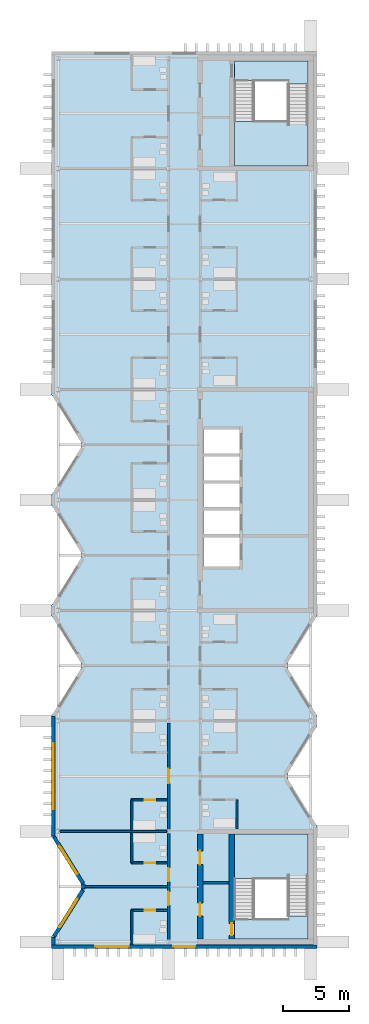
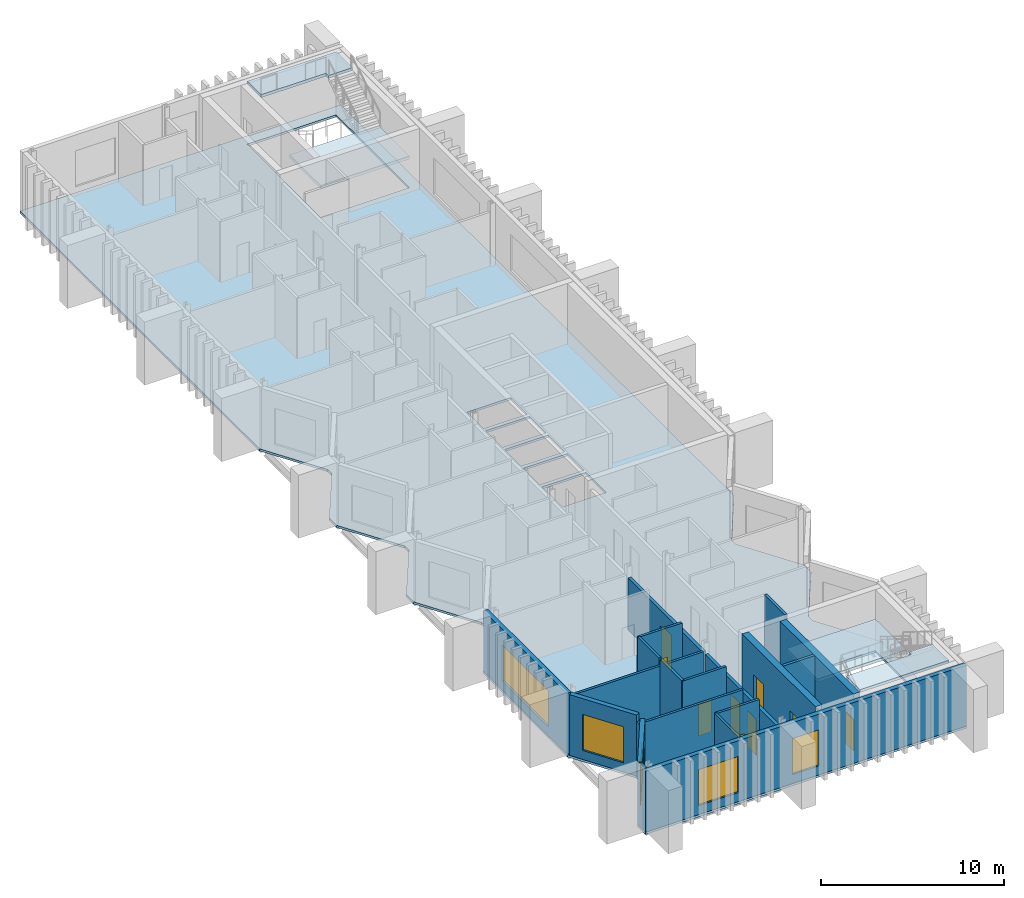
# One storey, part 4 of 10: 20 walls, 9 doors, 5 slabs, 5 windows, 14 openings, 2 elements without a shape of their own.
"""IFC4 building model written with IfcOpenShell, lengths in metres."""

from ifc_helpers import new_model, si_unit, direction, frame, frame_2d, origin, place, context, subcontext, project, spatial, polyline, rectangle, outline, extrude, material, layer, layer_set, type_object, element, fill, aggregate, save


model = new_model("IFC4")

# Units and contexts
model_context = context("Model", 3, precision=1e-05, world=origin(), true_north=direction((0.0, 1.0)))
body_context = subcontext(model_context, "Body", "Model", "MODEL_VIEW")
ifc_project = project(units=[si_unit("LENGTHUNIT", "METRE"), si_unit("AREAUNIT", "SQUARE_METRE"), si_unit("VOLUMEUNIT", "CUBIC_METRE"), si_unit("PLANEANGLEUNIT", "RADIAN"), si_unit("MASSUNIT", "GRAM", prefix="KILO")], contexts=[model_context])

# Site, building, storey
site_placement = place(None, origin())
site = spatial("IfcSite", under=ifc_project, at=site_placement, CompositionType="ELEMENT")
building_placement = place(site_placement, origin())
building = spatial("IfcBuilding", under=site, at=building_placement, Name="Cresset Court Congress Hotel", CompositionType="ELEMENT")
storey_placement = place(building_placement, frame((0.0, 0.0, 56.39990234375)))
storey = spatial("IfcBuildingStorey", under=building, at=storey_placement, Name="L13", CompositionType="ELEMENT", Elevation=56.39990234375)

# Slab
ifc_material_1 = material(Name="Concrete C35", Category="concrete")
ifc_layer_1 = layer(ifc_material_1, 0.14990234375)
ifc_layer_set_1 = layer_set([ifc_layer_1], Name="Composite floor slab 150")
slab_type_1 = type_object("IfcSlabType", Name="Composite floor slab 150", PredefinedType="FLOOR", material=ifc_layer_set_1)
slab_1_placement = place(storey_placement, frame((0.0, 0.0, -0.14990234375)))
element("IfcSlab", 1, at=slab_1_placement, inside=storey, type_object=slab_type_1, Name="A.slab.L13", PredefinedType="FLOOR", context=body_context, shape_type="SweptSolid", body=[
    extrude(outline(polyline([(156.699951171875, -0.5), (176.89990234375, -0.5), (176.89990234375, 8.7900390625), (174.665283203125, 12.375), (174.665283203125, 12.824951171875), (176.89990234375, 16.409912109375), (176.89990234375, 17.190185546875), (174.665283203125, 20.77490234375), (174.665283203125, 21.22509765625), (176.89990234375, 24.809814453125), (176.89990234375, 67.699951171875), (156.699951171875, 67.699951171875), (156.699951171875, 41.60986328125), (158.934814453125, 38.02490234375), (158.934814453125, 37.574951171875), (156.699951171875, 33.989990234375), (156.699951171875, 33.2099609375), (158.934814453125, 29.625), (158.934814453125, 29.175048828125), (156.699951171875, 25.590087890625), (156.699951171875, 24.809814453125), (158.934814453125, 21.22509765625), (158.934814453125, 20.77490234375), (156.699951171875, 17.190185546875), (156.699951171875, 8.010009765625), (158.934814453125, 4.425048828125), (158.934814453125, 3.97509765625), (156.699951171875, 0.39013671875), (156.699951171875, -0.5)]), holes=[polyline([(170.60009765625, 0.199951171875), (176.199951171875, 0.199951171875), (176.199951171875, 8.199951171875), (170.60009765625, 8.199951171875), (170.60009765625, 0.199951171875)]), polyline([(170.60009765625, 59.0), (176.199951171875, 59.0), (176.199951171875, 67.0), (170.60009765625, 67.0), (170.60009765625, 59.0)]), polyline([(168.25, 28.550048828125), (171.0, 28.550048828125), (171.0, 30.75), (168.25, 30.75), (168.25, 28.550048828125)]), polyline([(168.25, 31.0), (171.0, 31.0), (171.0, 32.800048828125), (168.25, 32.800048828125), (168.25, 31.0)]), polyline([(168.25, 33.050048828125), (171.0, 33.050048828125), (171.0, 34.85009765625), (168.25, 34.85009765625), (168.25, 33.050048828125)]), polyline([(168.25, 35.10009765625), (171.0, 35.10009765625), (171.0, 36.89990234375), (168.25, 36.89990234375), (168.25, 35.10009765625)]), polyline([(168.25, 37.14990234375), (171.0, 37.14990234375), (171.0, 38.949951171875), (168.25, 38.949951171875), (168.25, 37.14990234375)])]), origin(), (0.0, 0.0, 1.0), 0.14990234375),
])

# Stair, slabs
ifc_material_2 = material(Name="Concrete C40", Category="concrete")
stair_type = type_object("IfcStairType", Name="Concrete dog-leg stair 5600", PredefinedType="HALF_TURN_STAIR", material=ifc_material_2)
stair_1_placement = place(storey_placement, origin())
stair_1 = element("IfcStair", 2, at=stair_1_placement, inside=storey, type_object=stair_type, Name="Stair A1 L13", PredefinedType="HALF_TURN_STAIR")
ifc_material_3 = material(Name="Concrete C40", Category="concrete")
ifc_layer_2 = layer(ifc_material_3, 0.199951171875)
ifc_layer_set_2 = layer_set([ifc_layer_2], Name="Stair landing 200")
slab_type_2 = type_object("IfcSlabType", Name="Stair landing 200", PredefinedType="LANDING", material=ifc_layer_set_2)
slab_2_placement = place(storey_placement, frame((0.0, 0.0, 1.900146484375)))
slab_2 = element("IfcSlab", 3, at=slab_2_placement, type_object=slab_type_2, Name="A-ST1 landing 1", PredefinedType="LANDING", context=body_context, shape_type="SweptSolid", body=[
    extrude(outline(polyline([(170.60009765625, 4.819091796875), (176.199951171875, 4.819091796875), (176.199951171875, 8.199951171875), (170.60009765625, 8.199951171875), (170.60009765625, 4.819091796875)])), origin(), (0.0, 0.0, 1.0), 0.199951171875),
])
slab_3_placement = place(storey_placement, frame((0.0, 0.0, 4.0)))
slab_3 = element("IfcSlab", 4, at=slab_3_placement, type_object=slab_type_2, Name="A-ST1 landing 2", PredefinedType="LANDING", context=body_context, shape_type="SweptSolid", body=[
    extrude(outline(polyline([(170.60009765625, 0.199951171875), (176.199951171875, 0.199951171875), (176.199951171875, 1.960693359375), (174.699951171875, 1.960693359375), (174.699951171875, 1.70068359375), (170.60009765625, 1.70068359375), (170.60009765625, 0.199951171875)])), origin(), (0.0, 0.0, 1.0), 0.2001953125),
])
aggregate(stair_1, [slab_2, slab_3])

stair_2_placement = place(storey_placement, origin())
stair_2 = element("IfcStair", 5, at=stair_2_placement, inside=storey, type_object=stair_type, Name="Stair A2 L13", PredefinedType="HALF_TURN_STAIR")
slab_4_placement = place(storey_placement, frame((0.0, 0.0, 1.900146484375)))
slab_4 = element("IfcSlab", 6, at=slab_4_placement, type_object=slab_type_2, Name="A-ST1 landing 1", PredefinedType="LANDING", context=body_context, shape_type="SweptSolid", body=[
    extrude(outline(polyline([(170.60009765625, 62.380859375), (176.199951171875, 62.380859375), (176.199951171875, 59.0), (170.60009765625, 59.0), (170.60009765625, 62.380859375)])), origin(), (0.0, 0.0, 1.0), 0.199951171875),
])
slab_5_placement = place(storey_placement, frame((0.0, 0.0, 4.0)))
slab_5 = element("IfcSlab", 7, at=slab_5_placement, type_object=slab_type_2, Name="A-ST1 landing 2", PredefinedType="LANDING", context=body_context, shape_type="SweptSolid", body=[
    extrude(outline(polyline([(170.60009765625, 67.0), (176.199951171875, 67.0), (176.199951171875, 65.2392578125), (174.699951171875, 65.2392578125), (174.699951171875, 65.499267578125), (170.60009765625, 65.499267578125), (170.60009765625, 67.0)])), origin(), (0.0, 0.0, 1.0), 0.2001953125),
])
aggregate(stair_2, [slab_4, slab_5])

# Wall, openings, doors
ifc_material_4 = material(Name="Gypsum board partition")
ifc_layer_3 = layer(ifc_material_4, 0.199951171875)
ifc_layer_set_3 = layer_set([ifc_layer_3], Name="Corridor wall 200")
wall_type_1 = type_object("IfcWallType", Name="Corridor wall 200", PredefinedType="PARTITIONING", material=ifc_layer_set_3)
wall_1_placement = place(storey_placement, frame((165.60009765625, 0.14990234375, 0.0), z_axis=(0.0, 0.0, 1.0), x_axis=(0.0, 1.0, 0.0)))
wall_1 = element("IfcWall", 8, at=wall_1_placement, inside=storey, type_object=wall_type_1, Name="A.wl.L13.064", PredefinedType="PARTITIONING", context=body_context, shape_type="SweptSolid", body=[
    extrude(rectangle(XDim=8.10009765625, YDim=0.199951171875, at=frame_2d((4.050048828125, 0.0))), origin(), (0.0, 0.0, 1.0), 3.4501953125),
])
opening_1_placement = place(wall_1_placement, frame((2.64990234375, 0.0, 0.0)))
opening_1 = element("IfcOpeningElement", 9, at=opening_1_placement, cuts=wall_1, Name="Opening DA-13-02", PredefinedType="OPENING", context=body_context, shape_type="SweptSolid", body=[
    extrude(rectangle(XDim=1.0, YDim=2.39990234375, at=frame_2d((0.5, 1.199951171875))), frame((0.0, 0.10986328125, 0.0), z_axis=(0.0, -1.0, 0.0), x_axis=(1.0, 0.0, 0.0)), (0.0, 0.0, 1.0), 0.219970703125),
])
opening_2_placement = place(wall_1_placement, frame((4.449951171875, 0.0, 0.0)))
opening_2 = element("IfcOpeningElement", 10, at=opening_2_placement, cuts=wall_1, Name="Opening DA-13-04", PredefinedType="OPENING", context=body_context, shape_type="SweptSolid", body=[
    extrude(rectangle(XDim=1.0, YDim=2.39990234375, at=frame_2d((0.5, 1.199951171875))), frame((0.0, 0.10986328125, 0.0), z_axis=(0.0, -1.0, 0.0), x_axis=(1.0, 0.0, 0.0)), (0.0, 0.0, 1.0), 0.219970703125),
])
ifc_material_5 = material(Name="timber", Category="wood")
door_type_1 = type_object("IfcDoorType", Name="Guest-room entry door 1000x2400 FD30S", OperationType="SINGLE_SWING_LEFT", PredefinedType="DOOR", material=ifc_material_5)
door_1_placement = place(opening_1_placement, origin())
door_1 = element("IfcDoor", 11, at=door_1_placement, inside=storey, type_object=door_type_1, Name="Door DA-13-02", OperationType="SINGLE_SWING_RIGHT", OverallHeight=2.39990234375, OverallWidth=1.0, PredefinedType="DOOR", context=body_context, shape_type="SweptSolid", body=[
    extrude(rectangle(XDim=1.0, YDim=2.39990234375, at=frame_2d((0.5, 1.199951171875))), frame((0.0, 0.02490234375, 0.0), z_axis=(0.0, -1.0, 0.0), x_axis=(1.0, 0.0, 0.0)), (0.0, 0.0, 1.0), 0.050048828125),
])
fill(opening_1, door_1)
door_2_placement = place(opening_2_placement, origin())
door_2 = element("IfcDoor", 12, at=door_2_placement, inside=storey, type_object=door_type_1, Name="Door DA-13-04", OperationType="SINGLE_SWING_LEFT", OverallHeight=2.39990234375, OverallWidth=1.0, PredefinedType="DOOR", context=body_context, shape_type="SweptSolid", body=[
    extrude(rectangle(XDim=1.0, YDim=2.39990234375, at=frame_2d((0.5, 1.199951171875))), frame((0.0, 0.02490234375, 0.0), z_axis=(0.0, -1.0, 0.0), x_axis=(1.0, 0.0, 0.0)), (0.0, 0.0, 1.0), 0.050048828125),
])
fill(opening_2, door_2)

# Wall, opening, door
wall_2_placement = place(storey_placement, frame((165.60009765625, 8.550048828125, 0.0), z_axis=(0.0, 0.0, 1.0), x_axis=(0.0, 1.0, 0.0)))
wall_2 = element("IfcWall", 13, at=wall_2_placement, inside=storey, type_object=wall_type_1, Name="A.wl.L13.065", PredefinedType="PARTITIONING", context=body_context, shape_type="SweptSolid", body=[
    extrude(rectangle(XDim=8.099853515625, YDim=0.199951171875, at=frame_2d((4.0498046875, 0.0))), origin(), (0.0, 0.0, 1.0), 3.4501953125),
])
opening_3_placement = place(wall_2_placement, frame((3.5, 0.0, 0.0)))
opening_3 = element("IfcOpeningElement", 14, at=opening_3_placement, cuts=wall_2, Name="Opening DA-13-07", PredefinedType="OPENING", context=body_context, shape_type="SweptSolid", body=[
    extrude(rectangle(XDim=1.10009765625, YDim=2.39990234375, at=frame_2d((0.550048828125, 1.199951171875))), frame((0.0, 0.10986328125, 0.0), z_axis=(0.0, -1.0, 0.0), x_axis=(1.0, 0.0, 0.0)), (0.0, 0.0, 1.0), 0.219970703125),
])
ifc_material_6 = material(Name="timber", Category="wood")
door_type_2 = type_object("IfcDoorType", Name="Suite entrance door 1100x2400 FD30S", OperationType="SINGLE_SWING_LEFT", PredefinedType="DOOR", material=ifc_material_6)
door_3_placement = place(opening_3_placement, origin())
door_3 = element("IfcDoor", 15, at=door_3_placement, inside=storey, type_object=door_type_2, Name="Door DA-13-07", OperationType="SINGLE_SWING_RIGHT", OverallHeight=2.39990234375, OverallWidth=1.10009765625, PredefinedType="DOOR", context=body_context, shape_type="SweptSolid", body=[
    extrude(rectangle(XDim=1.10009765625, YDim=2.39990234375, at=frame_2d((0.550048828125, 1.199951171875))), frame((0.0, 0.02490234375, 0.0), z_axis=(0.0, -1.0, 0.0), x_axis=(1.0, 0.0, 0.0)), (0.0, 0.0, 1.0), 0.050048828125),
])
fill(opening_3, door_3)

# Wall
ifc_material_7 = material(Name="Gypsum board partition")
ifc_layer_4 = layer(ifc_material_7, 0.14990234375)
ifc_layer_set_4 = layer_set([ifc_layer_4], Name="En-suite wall 150")
wall_type_2 = type_object("IfcWallType", Name="En-suite wall 150", PredefinedType="PARTITIONING", material=ifc_layer_set_4)
wall_3_placement = place(storey_placement, frame((162.800048828125, -0.219970703125, 0.0), z_axis=(0.0, 0.0, 1.0), x_axis=(0.0, 1.0, 0.0)))
element("IfcWall", 16, at=wall_3_placement, inside=storey, type_object=wall_type_2, Name="A.wl.L13.001", PredefinedType="PARTITIONING", context=body_context, shape_type="SweptSolid", body=[
    extrude(rectangle(XDim=2.619873046875, YDim=0.14990234375, at=frame_2d((1.31005859375, 0.0))), origin(), (0.0, 0.0, 1.0), 4.050048828125),
])

# Wall, opening, door
wall_4_placement = place(storey_placement, frame((162.75, 2.39990234375, 0.0), z_axis=(0.0, 0.0, 1.0), x_axis=(1.0, 0.0, 0.0)))
wall_4 = element("IfcWall", 17, at=wall_4_placement, inside=storey, type_object=wall_type_2, Name="A.wl.L13.002", PredefinedType="PARTITIONING", context=body_context, shape_type="SweptSolid", body=[
    extrude(rectangle(XDim=2.75, YDim=0.14990234375, at=frame_2d((1.375, 0.0))), origin(), (0.0, 0.0, 1.0), 4.050048828125),
])
opening_4_placement = place(wall_4_placement, frame((1.030029296875, 0.0, 0.0)))
opening_4 = element("IfcOpeningElement", 18, at=opening_4_placement, cuts=wall_4, Name="Opening DA-13-01", PredefinedType="OPENING", context=body_context, shape_type="SweptSolid", body=[
    extrude(rectangle(XDim=0.800048828125, YDim=2.10009765625, at=frame_2d((0.39990234375, 1.050048828125))), frame((0.0, 0.0849609375, 0.0), z_axis=(0.0, -1.0, 0.0), x_axis=(1.0, 0.0, 0.0)), (0.0, 0.0, 1.0), 0.169921875),
])
ifc_material_8 = material(Name="timber", Category="wood")
door_type_3 = type_object("IfcDoorType", Name="En-suite door 800x2100", OperationType="SINGLE_SWING_LEFT", PredefinedType="DOOR", material=ifc_material_8)
door_4_placement = place(opening_4_placement, origin())
door_4 = element("IfcDoor", 19, at=door_4_placement, inside=storey, type_object=door_type_3, Name="Door DA-13-01", OperationType="SINGLE_SWING_RIGHT", OverallHeight=2.10009765625, OverallWidth=0.800048828125, PredefinedType="DOOR", context=body_context, shape_type="SweptSolid", body=[
    extrude(rectangle(XDim=0.800048828125, YDim=2.10009765625, at=frame_2d((0.39990234375, 1.050048828125))), frame((0.0, 0.02490234375, 0.0), z_axis=(0.0, -1.0, 0.0), x_axis=(1.0, 0.0, 0.0)), (0.0, 0.0, 1.0), 0.050048828125),
])
fill(opening_4, door_4)

# Wall
wall_5_placement = place(storey_placement, frame((162.800048828125, 6.0, 0.0), z_axis=(0.0, 0.0, 1.0), x_axis=(0.0, 1.0, 0.0)))
element("IfcWall", 20, at=wall_5_placement, inside=storey, type_object=wall_type_2, Name="A.wl.L13.003", PredefinedType="PARTITIONING", context=body_context, shape_type="SweptSolid", body=[
    extrude(rectangle(XDim=2.324951171875, YDim=0.14990234375, at=frame_2d((1.16259765625, 0.0))), origin(), (0.0, 0.0, 1.0), 4.050048828125),
])

# Wall, opening, door
wall_6_placement = place(storey_placement, frame((162.75, 6.0, 0.0), z_axis=(0.0, 0.0, 1.0), x_axis=(1.0, 0.0, 0.0)))
wall_6 = element("IfcWall", 21, at=wall_6_placement, inside=storey, type_object=wall_type_2, Name="A.wl.L13.004", PredefinedType="PARTITIONING", context=body_context, shape_type="SweptSolid", body=[
    extrude(rectangle(XDim=2.75, YDim=0.14990234375, at=frame_2d((1.375, 0.0))), origin(), (0.0, 0.0, 1.0), 4.050048828125),
])
opening_5_placement = place(wall_6_placement, frame((1.030029296875, 0.0, 0.0)))
opening_5 = element("IfcOpeningElement", 22, at=opening_5_placement, cuts=wall_6, Name="Opening DA-13-03", PredefinedType="OPENING", context=body_context, shape_type="SweptSolid", body=[
    extrude(rectangle(XDim=0.800048828125, YDim=2.10009765625, at=frame_2d((0.39990234375, 1.050048828125))), frame((0.0, 0.0849609375, 0.0), z_axis=(0.0, -1.0, 0.0), x_axis=(1.0, 0.0, 0.0)), (0.0, 0.0, 1.0), 0.169921875),
])
door_5_placement = place(opening_5_placement, origin())
door_5 = element("IfcDoor", 23, at=door_5_placement, inside=storey, type_object=door_type_3, Name="Door DA-13-03", OperationType="SINGLE_SWING_LEFT", OverallHeight=2.10009765625, OverallWidth=0.800048828125, PredefinedType="DOOR", context=body_context, shape_type="SweptSolid", body=[
    extrude(rectangle(XDim=0.800048828125, YDim=2.10009765625, at=frame_2d((0.39990234375, 1.050048828125))), frame((0.0, 0.02490234375, 0.0), z_axis=(0.0, -1.0, 0.0), x_axis=(1.0, 0.0, 0.0)), (0.0, 0.0, 1.0), 0.050048828125),
])
fill(opening_5, door_5)

# Wall
wall_7_placement = place(storey_placement, frame((162.800048828125, 8.47509765625, 0.0), z_axis=(0.0, 0.0, 1.0), x_axis=(0.0, 1.0, 0.0)))
element("IfcWall", 24, at=wall_7_placement, inside=storey, type_object=wall_type_2, Name="A.wl.L13.005", PredefinedType="PARTITIONING", context=body_context, shape_type="SweptSolid", body=[
    extrude(rectangle(XDim=2.324951171875, YDim=0.14990234375, at=frame_2d((1.16259765625, 0.0))), origin(), (0.0, 0.0, 1.0), 4.050048828125),
])

# Wall, opening, door
wall_8_placement = place(storey_placement, frame((162.75, 10.800048828125, 0.0), z_axis=(0.0, 0.0, 1.0), x_axis=(1.0, 0.0, 0.0)))
wall_8 = element("IfcWall", 25, at=wall_8_placement, inside=storey, type_object=wall_type_2, Name="A.wl.L13.006", PredefinedType="PARTITIONING", context=body_context, shape_type="SweptSolid", body=[
    extrude(rectangle(XDim=2.75, YDim=0.14990234375, at=frame_2d((1.375, 0.0))), origin(), (0.0, 0.0, 1.0), 4.050048828125),
])
opening_6_placement = place(wall_8_placement, frame((1.030029296875, 0.0, 0.0)))
opening_6 = element("IfcOpeningElement", 26, at=opening_6_placement, cuts=wall_8, Name="Opening DA-13-05", PredefinedType="OPENING", context=body_context, shape_type="SweptSolid", body=[
    extrude(rectangle(XDim=0.800048828125, YDim=2.10009765625, at=frame_2d((0.39990234375, 1.050048828125))), frame((0.0, 0.0849609375, 0.0), z_axis=(0.0, -1.0, 0.0), x_axis=(1.0, 0.0, 0.0)), (0.0, 0.0, 1.0), 0.169921875),
])
door_6_placement = place(opening_6_placement, origin())
door_6 = element("IfcDoor", 27, at=door_6_placement, inside=storey, type_object=door_type_3, Name="Door DA-13-05", OperationType="SINGLE_SWING_RIGHT", OverallHeight=2.10009765625, OverallWidth=0.800048828125, PredefinedType="DOOR", context=body_context, shape_type="SweptSolid", body=[
    extrude(rectangle(XDim=0.800048828125, YDim=2.10009765625, at=frame_2d((0.39990234375, 1.050048828125))), frame((0.0, 0.02490234375, 0.0), z_axis=(0.0, -1.0, 0.0), x_axis=(1.0, 0.0, 0.0)), (0.0, 0.0, 1.0), 0.050048828125),
])
fill(opening_6, door_6)

# Walls
wall_9_placement = place(storey_placement, frame((170.800048828125, 8.60009765625, 0.0), z_axis=(0.0, 0.0, 1.0), x_axis=(0.0, 1.0, 0.0)))
element("IfcWall", 28, at=wall_9_placement, inside=storey, type_object=wall_type_2, Name="A.wl.L13.033", PredefinedType="PARTITIONING", context=body_context, shape_type="SweptSolid", body=[
    extrude(rectangle(XDim=2.199951171875, YDim=0.14990234375, at=frame_2d((1.10009765625, 0.0))), origin(), (0.0, 0.0, 1.0), 4.050048828125),
])
ifc_material_9 = material(Name="Precast concrete C50", Category="concrete")
ifc_layer_5 = layer(ifc_material_9, 0.280029296875)
ifc_layer_set_5 = layer_set([ifc_layer_5], Name="External wall 280")
wall_type_3 = type_object("IfcWallType", Name="External wall 280", PredefinedType="SOLIDWALL", material=ifc_layer_set_5)
wall_10_placement = place(storey_placement, frame((156.840087890625, -0.219970703125, 0.0), z_axis=(0.0, 0.0, 1.0), x_axis=(0.0, 1.0, 0.0)))
element("IfcWall", 29, at=wall_10_placement, inside=storey, type_object=wall_type_3, Name="A.ew.L13.W.1", PredefinedType="SOLIDWALL", context=body_context, shape_type="SweptSolid", body=[
    extrude(rectangle(XDim=0.570068359375, YDim=0.280029296875, at=frame_2d((0.28515625, 0.0))), origin(), (0.0, 0.0, 1.0), 4.050048828125),
])

# Wall, opening, window
wall_11_placement = place(storey_placement, frame((156.88623046875, 0.424072265625, 0.0), z_axis=(0.0, 0.0, 1.0), x_axis=(0.529018946142, 0.848610013271, 0.0)))
wall_11 = element("IfcWall", 30, at=wall_11_placement, inside=storey, type_object=wall_type_3, Name="A.ew.L13.Wn.0.0", PredefinedType="SOLIDWALL", context=body_context, shape_type="SweptSolid", body=[
    extrude(rectangle(XDim=4.144287109375, YDim=0.280029296875, at=frame_2d((2.072265625, 0.0))), origin(), (0.0, 0.0, 1.0), 4.050048828125),
])
opening_7_placement = place(wall_11_placement, frame((0.812255859375, 0.0, 0.60009765625)))
opening_7 = element("IfcOpeningElement", 31, at=opening_7_placement, cuts=wall_11, Name="Opening NA-13-01", PredefinedType="OPENING", context=body_context, shape_type="SweptSolid", body=[
    extrude(rectangle(XDim=2.52001953125, YDim=2.39990234375, at=frame_2d((1.260009765625, 1.199951171875))), frame((0.0, 0.14990234375, 0.0), z_axis=(0.0, -1.0, 0.0), x_axis=(1.0, 0.0, 0.0)), (0.0, 0.0, 1.0), 0.300048828125),
])
ifc_material_10 = material(Name="Aluminium and glass", Category="aluminium")
window_type_1 = type_object("IfcWindowType", Name="Window 2520x2400", PartitioningType="SINGLE_PANEL", PredefinedType="WINDOW", material=ifc_material_10)
window_1_placement = place(opening_7_placement, origin())
window_1 = element("IfcWindow", 32, at=window_1_placement, inside=storey, type_object=window_type_1, Name="Window NA-13-01", OverallHeight=2.39990234375, OverallWidth=2.52001953125, PartitioningType="SINGLE_PANEL", PredefinedType="WINDOW", context=body_context, shape_type="SweptSolid", body=[
    extrude(rectangle(XDim=2.52001953125, YDim=2.39990234375, at=frame_2d((1.260009765625, 1.199951171875))), frame((0.0, 0.030029296875, 0.0), z_axis=(0.0, -1.0, 0.0), x_axis=(1.0, 0.0, 0.0)), (0.0, 0.0, 1.0), 0.06005859375),
])
fill(opening_7, window_1)

wall_12_placement = place(storey_placement, frame((159.07861328125, 4.458984375, 0.0), z_axis=(0.0, 0.0, 1.0), x_axis=(-0.529018946142, 0.848610013271, 0.0)))
wall_12 = element("IfcWall", 33, at=wall_12_placement, inside=storey, type_object=wall_type_3, Name="A.ew.L13.Wn.0.1", PredefinedType="SOLIDWALL", context=body_context, shape_type="SweptSolid", body=[
    extrude(rectangle(XDim=4.144287109375, YDim=0.280029296875, at=frame_2d((2.072265625, 0.0))), origin(), (0.0, 0.0, 1.0), 4.050048828125),
])
opening_8_placement = place(wall_12_placement, frame((0.812255859375, 0.0, 0.60009765625)))
opening_8 = element("IfcOpeningElement", 34, at=opening_8_placement, cuts=wall_12, Name="Opening NA-13-02", PredefinedType="OPENING", context=body_context, shape_type="SweptSolid", body=[
    extrude(rectangle(XDim=2.52001953125, YDim=2.39990234375, at=frame_2d((1.260009765625, 1.199951171875))), frame((0.0, 0.14990234375, 0.0), z_axis=(0.0, -1.0, 0.0), x_axis=(1.0, 0.0, 0.0)), (0.0, 0.0, 1.0), 0.300048828125),
])
window_2_placement = place(opening_8_placement, origin())
window_2 = element("IfcWindow", 35, at=window_2_placement, inside=storey, type_object=window_type_1, Name="Window NA-13-02", OverallHeight=2.39990234375, OverallWidth=2.52001953125, PartitioningType="SINGLE_PANEL", PredefinedType="WINDOW", context=body_context, shape_type="SweptSolid", body=[
    extrude(rectangle(XDim=2.52001953125, YDim=2.39990234375, at=frame_2d((1.260009765625, 1.199951171875))), frame((0.0, 0.030029296875, 0.0), z_axis=(0.0, -1.0, 0.0), x_axis=(1.0, 0.0, 0.0)), (0.0, 0.0, 1.0), 0.06005859375),
])
fill(opening_8, window_2)

# Wall
wall_13_placement = place(storey_placement, frame((159.099609375, 4.01513671875, 0.0), z_axis=(0.0, 0.0, 1.0), x_axis=(0.0, 1.0, 0.0)))
element("IfcWall", 36, at=wall_13_placement, inside=storey, type_object=wall_type_3, Name="A.ew.L13.Wn.0.2", PredefinedType="SOLIDWALL", context=body_context, shape_type="SweptSolid", body=[
    extrude(rectangle(XDim=0.369873046875, YDim=0.280029296875, at=frame_2d((0.18505859375, 0.0))), origin(), (0.0, 0.0, 1.0), 3.60400390625),
])

# Wall, opening, window
wall_14_placement = place(storey_placement, frame((156.840087890625, 8.050048828125, 0.0), z_axis=(0.0, 0.0, 1.0), x_axis=(0.0, 1.0, 0.0)))
wall_14 = element("IfcWall", 37, at=wall_14_placement, inside=storey, type_object=wall_type_3, Name="A.ew.L13.W.2", PredefinedType="SOLIDWALL", context=body_context, shape_type="SweptSolid", body=[
    extrude(rectangle(XDim=9.099853515625, YDim=0.280029296875, at=frame_2d((4.5498046875, 0.0))), origin(), (0.0, 0.0, 1.0), 4.050048828125),
])
opening_9_placement = place(wall_14_placement, frame((2.030029296875, 0.0, 0.60009765625)))
opening_9 = element("IfcOpeningElement", 38, at=opening_9_placement, cuts=wall_14, Name="Opening NA-13-03", PredefinedType="OPENING", context=body_context, shape_type="SweptSolid", body=[
    extrude(rectangle(XDim=5.0400390625, YDim=2.39990234375, at=frame_2d((2.52001953125, 1.199951171875))), frame((0.0, 0.14990234375, 0.0), z_axis=(0.0, -1.0, 0.0), x_axis=(1.0, 0.0, 0.0)), (0.0, 0.0, 1.0), 0.300048828125),
])
ifc_material_11 = material(Name="Aluminium and glass", Category="aluminium")
window_type_2 = type_object("IfcWindowType", Name="Window 5040x2400", PartitioningType="SINGLE_PANEL", PredefinedType="WINDOW", material=ifc_material_11)
window_3_placement = place(opening_9_placement, origin())
window_3 = element("IfcWindow", 39, at=window_3_placement, inside=storey, type_object=window_type_2, Name="Window NA-13-03", OverallHeight=2.39990234375, OverallWidth=5.0400390625, PartitioningType="SINGLE_PANEL", PredefinedType="WINDOW", context=body_context, shape_type="SweptSolid", body=[
    extrude(rectangle(XDim=5.0400390625, YDim=2.39990234375, at=frame_2d((2.52001953125, 1.199951171875))), frame((0.0, 0.030029296875, 0.0), z_axis=(0.0, -1.0, 0.0), x_axis=(1.0, 0.0, 0.0)), (0.0, 0.0, 1.0), 0.06005859375),
])
fill(opening_9, window_3)

# Wall, openings, windows
ifc_material_12 = material(Name="Precast concrete C50", Category="concrete")
ifc_layer_6 = layer(ifc_material_12, 0.280029296875)
ifc_layer_set_6 = layer_set([ifc_layer_6], Name="Gable end wall 280")
wall_type_4 = type_object("IfcWallType", Name="Gable end wall 280", PredefinedType="SOLIDWALL", material=ifc_layer_set_6)
wall_15_placement = place(storey_placement, frame((156.699951171875, -0.360107421875, 0.0), z_axis=(0.0, 0.0, 1.0), x_axis=(1.0, 0.0, 0.0)))
wall_15 = element("IfcWall", 40, at=wall_15_placement, inside=storey, type_object=wall_type_4, Name="A.ew.L13.S.1", PredefinedType="SOLIDWALL", context=body_context, shape_type="SweptSolid", body=[
    extrude(rectangle(XDim=20.199951171875, YDim=0.280029296875, at=frame_2d((10.10009765625, 0.0))), origin(), (0.0, 0.0, 1.0), 4.050048828125),
])
opening_10_placement = place(wall_15_placement, frame((9.260009765625, 0.0, 0.60009765625)))
opening_10 = element("IfcOpeningElement", 41, at=opening_10_placement, cuts=wall_15, Name="Opening NA-13-19", PredefinedType="OPENING", context=body_context, shape_type="SweptSolid", body=[
    extrude(rectangle(XDim=1.679931640625, YDim=2.39990234375, at=frame_2d((0.83984375, 1.199951171875))), frame((0.0, 0.14990234375, 0.0), z_axis=(0.0, -1.0, 0.0), x_axis=(1.0, 0.0, 0.0)), (0.0, 0.0, 1.0), 0.300048828125),
])
opening_11_placement = place(wall_15_placement, frame((3.340087890625, 0.0, 0.60009765625)))
opening_11 = element("IfcOpeningElement", 42, at=opening_11_placement, cuts=wall_15, Name="Opening NA-13-20", PredefinedType="OPENING", context=body_context, shape_type="SweptSolid", body=[
    extrude(rectangle(XDim=2.52001953125, YDim=2.39990234375, at=frame_2d((1.260009765625, 1.199951171875))), frame((0.0, 0.14990234375, 0.0), z_axis=(0.0, -1.0, 0.0), x_axis=(1.0, 0.0, 0.0)), (0.0, 0.0, 1.0), 0.300048828125),
])
ifc_material_13 = material(Name="Aluminium and glass", Category="aluminium")
window_type_3 = type_object("IfcWindowType", Name="Window 1680x2400", PartitioningType="SINGLE_PANEL", PredefinedType="WINDOW", material=ifc_material_13)
window_4_placement = place(opening_10_placement, origin())
window_4 = element("IfcWindow", 43, at=window_4_placement, inside=storey, type_object=window_type_3, Name="Window NA-13-19", OverallHeight=2.39990234375, OverallWidth=1.679931640625, PartitioningType="SINGLE_PANEL", PredefinedType="WINDOW", context=body_context, shape_type="SweptSolid", body=[
    extrude(rectangle(XDim=1.679931640625, YDim=2.39990234375, at=frame_2d((0.83984375, 1.199951171875))), frame((0.0, 0.030029296875, 0.0), z_axis=(0.0, -1.0, 0.0), x_axis=(1.0, 0.0, 0.0)), (0.0, 0.0, 1.0), 0.06005859375),
])
fill(opening_10, window_4)
window_5_placement = place(opening_11_placement, origin())
window_5 = element("IfcWindow", 44, at=window_5_placement, inside=storey, type_object=window_type_1, Name="Window NA-13-20", OverallHeight=2.39990234375, OverallWidth=2.52001953125, PartitioningType="SINGLE_PANEL", PredefinedType="WINDOW", context=body_context, shape_type="SweptSolid", body=[
    extrude(rectangle(XDim=2.52001953125, YDim=2.39990234375, at=frame_2d((1.260009765625, 1.199951171875))), frame((0.0, 0.030029296875, 0.0), z_axis=(0.0, -1.0, 0.0), x_axis=(1.0, 0.0, 0.0)), (0.0, 0.0, 1.0), 0.06005859375),
])
fill(opening_11, window_5)

# Walls
ifc_material_14 = material(Name="Gypsum board partition")
ifc_layer_7 = layer(ifc_material_14, 0.14990234375)
ifc_layer_set_7 = layer_set([ifc_layer_7], Name="Guest-room partition 150")
wall_type_5 = type_object("IfcWallType", Name="Guest-room partition 150", PredefinedType="PARTITIONING", material=ifc_layer_set_7)
wall_16_placement = place(storey_placement, frame((157.35009765625, 8.39990234375, 0.0), z_axis=(0.0, 0.0, 1.0), x_axis=(1.0, 0.0, 0.0)))
element("IfcWall", 45, at=wall_16_placement, inside=storey, type_object=wall_type_5, Name="A.wl.L13.049", PredefinedType="PARTITIONING", context=body_context, shape_type="SweptSolid", body=[
    extrude(rectangle(XDim=8.099853515625, YDim=0.14990234375, at=frame_2d((4.0498046875, 0.0))), origin(), (0.0, 0.0, 1.0), 3.60400390625),
])
wall_17_placement = place(storey_placement, frame((159.23974609375, 4.199951171875, 0.0), z_axis=(0.0, 0.0, 1.0), x_axis=(1.0, 0.0, 0.0)))
element("IfcWall", 46, at=wall_17_placement, inside=storey, type_object=wall_type_5, Name="A.wl.L13.058", PredefinedType="PARTITIONING", context=body_context, shape_type="SweptSolid", body=[
    extrude(rectangle(XDim=6.26025390625, YDim=0.14990234375, at=frame_2d((3.130126953125, 0.0))), origin(), (0.0, 0.0, 1.0), 3.60400390625),
])
ifc_material_15 = material(Name="Concrete block wall", Category="concrete")
ifc_layer_8 = layer(ifc_material_15, 0.175048828125)
ifc_layer_set_8 = layer_set([ifc_layer_8], Name="Riser shaft wall 175")
wall_type_6 = type_object("IfcWallType", Name="Riser shaft wall 175", PredefinedType="PARTITIONING", material=ifc_layer_set_8)
wall_18_placement = place(storey_placement, frame((168.199951171875, 4.5, 0.0), z_axis=(0.0, 0.0, 1.0), x_axis=(1.0, 0.0, 0.0)))
element("IfcWall", 47, at=wall_18_placement, inside=storey, type_object=wall_type_6, Name="A.wl.L13.077", PredefinedType="PARTITIONING", context=body_context, shape_type="SweptSolid", body=[
    extrude(rectangle(XDim=2.0, YDim=0.175048828125, at=frame_2d((1.0, 0.0))), origin(), (0.0, 0.0, 1.0), 4.050048828125),
])

# Wall, openings, doors
ifc_material_16 = material(Name="Concrete C50", Category="concrete")
ifc_layer_9 = layer(ifc_material_16, 0.39990234375)
ifc_layer_set_9 = layer_set([ifc_layer_9], Name="Stair core wall 400")
wall_type_7 = type_object("IfcWallType", Name="Stair core wall 400", PredefinedType="SOLIDWALL", material=ifc_layer_set_9)
wall_19_placement = place(storey_placement, frame((168.0, 0.199951171875, 0.0), z_axis=(0.0, 0.0, 1.0), x_axis=(0.0, 1.0, 0.0)))
wall_19 = element("IfcWall", 48, at=wall_19_placement, inside=storey, type_object=wall_type_7, Name="A.cw.ST-A1.L13.W", PredefinedType="SOLIDWALL", context=body_context, shape_type="SweptSolid", body=[
    extrude(rectangle(XDim=8.0, YDim=0.39990234375, at=frame_2d((4.0, 0.0))), origin(), (0.0, 0.0, 1.0), 4.050048828125),
])
opening_12_placement = place(wall_19_placement, frame((1.75, 0.0, 0.0)))
opening_12 = element("IfcOpeningElement", 49, at=opening_12_placement, cuts=wall_19, Name="Opening DA-13-44", PredefinedType="OPENING", context=body_context, shape_type="SweptSolid", body=[
    extrude(rectangle(XDim=1.0, YDim=2.10009765625, at=frame_2d((0.5, 1.050048828125))), frame((0.0, 0.2099609375, 0.0), z_axis=(0.0, -1.0, 0.0), x_axis=(1.0, 0.0, 0.0)), (0.0, 0.0, 1.0), 0.419921875),
])
opening_13_placement = place(wall_19_placement, frame((5.675048828125, 0.0, 0.0)))
opening_13 = element("IfcOpeningElement", 50, at=opening_13_placement, cuts=wall_19, Name="Opening DA-13-45", PredefinedType="OPENING", context=body_context, shape_type="SweptSolid", body=[
    extrude(rectangle(XDim=1.050048828125, YDim=2.10009765625, at=frame_2d((0.52490234375, 1.050048828125))), frame((0.0, 0.2099609375, 0.0), z_axis=(0.0, -1.0, 0.0), x_axis=(1.0, 0.0, 0.0)), (0.0, 0.0, 1.0), 0.419921875),
])
ifc_material_17 = material(Name="steel", Category="steel")
door_type_4 = type_object("IfcDoorType", Name="Housekeeping room door 1050x2100 FD30", OperationType="SINGLE_SWING_LEFT", PredefinedType="DOOR", material=ifc_material_17)
door_7_placement = place(opening_13_placement, origin())
door_7 = element("IfcDoor", 51, at=door_7_placement, inside=storey, type_object=door_type_4, Name="Door DA-13-45", OperationType="SINGLE_SWING_LEFT", OverallHeight=2.10009765625, OverallWidth=1.050048828125, PredefinedType="DOOR", context=body_context, shape_type="SweptSolid", body=[
    extrude(rectangle(XDim=1.050048828125, YDim=2.10009765625, at=frame_2d((0.52490234375, 1.050048828125))), frame((0.0, 0.02490234375, 0.0), z_axis=(0.0, -1.0, 0.0), x_axis=(1.0, 0.0, 0.0)), (0.0, 0.0, 1.0), 0.050048828125),
])
fill(opening_13, door_7)
ifc_material_18 = material(Name="steel", Category="steel")
door_type_5 = type_object("IfcDoorType", Name="Lobby door 1000x2100 FD60", OperationType="SINGLE_SWING_LEFT", PredefinedType="DOOR", material=ifc_material_18)
door_8_placement = place(opening_12_placement, origin())
door_8 = element("IfcDoor", 52, at=door_8_placement, inside=storey, type_object=door_type_5, Name="Door DA-13-44", OperationType="SINGLE_SWING_RIGHT", OverallHeight=2.10009765625, OverallWidth=1.0, PredefinedType="DOOR", context=body_context, shape_type="SweptSolid", body=[
    extrude(rectangle(XDim=1.0, YDim=2.10009765625, at=frame_2d((0.5, 1.050048828125))), frame((0.0, 0.02490234375, 0.0), z_axis=(0.0, -1.0, 0.0), x_axis=(1.0, 0.0, 0.0)), (0.0, 0.0, 1.0), 0.050048828125),
])
fill(opening_12, door_8)

# Wall, opening, door
wall_20_placement = place(storey_placement, frame((170.39990234375, 0.199951171875, 0.0), z_axis=(0.0, 0.0, 1.0), x_axis=(0.0, 1.0, 0.0)))
wall_20 = element("IfcWall", 53, at=wall_20_placement, inside=storey, type_object=wall_type_7, Name="A.wl.L13.076", PredefinedType="SOLIDWALL", context=body_context, shape_type="SweptSolid", body=[
    extrude(rectangle(XDim=8.0, YDim=0.39990234375, at=frame_2d((4.0, 0.0))), origin(), (0.0, 0.0, 1.0), 4.050048828125),
])
opening_14_placement = place(wall_20_placement, frame((0.300048828125, 0.0, 0.0)))
opening_14 = element("IfcOpeningElement", 54, at=opening_14_placement, cuts=wall_20, Name="Opening DA-13-43", PredefinedType="OPENING", context=body_context, shape_type="SweptSolid", body=[
    extrude(rectangle(XDim=0.89990234375, YDim=2.10009765625, at=frame_2d((0.449951171875, 1.050048828125))), frame((0.0, 0.2099609375, 0.0), z_axis=(0.0, -1.0, 0.0), x_axis=(1.0, 0.0, 0.0)), (0.0, 0.0, 1.0), 0.419921875),
])
ifc_material_19 = material(Name="steel", Category="steel")
door_type_6 = type_object("IfcDoorType", Name="Stair door 900x2100 FD60", OperationType="SINGLE_SWING_LEFT", PredefinedType="DOOR", material=ifc_material_19)
door_9_placement = place(opening_14_placement, origin())
door_9 = element("IfcDoor", 55, at=door_9_placement, inside=storey, type_object=door_type_6, Name="Door DA-13-43", OperationType="SINGLE_SWING_LEFT", OverallHeight=2.10009765625, OverallWidth=0.89990234375, PredefinedType="DOOR", context=body_context, shape_type="SweptSolid", body=[
    extrude(rectangle(XDim=0.89990234375, YDim=2.10009765625, at=frame_2d((0.449951171875, 1.050048828125))), frame((0.0, 0.02490234375, 0.0), z_axis=(0.0, -1.0, 0.0), x_axis=(1.0, 0.0, 0.0)), (0.0, 0.0, 1.0), 0.050048828125),
])
fill(opening_14, door_9)

save(model, "model.ifc")
